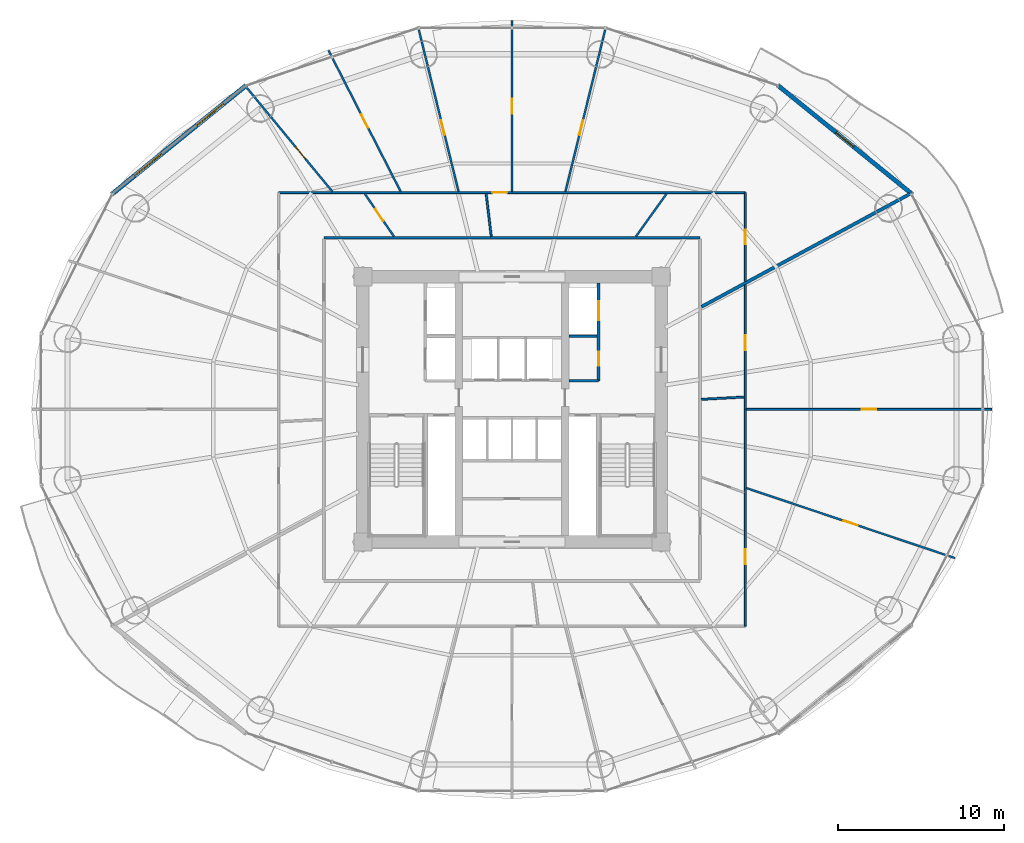
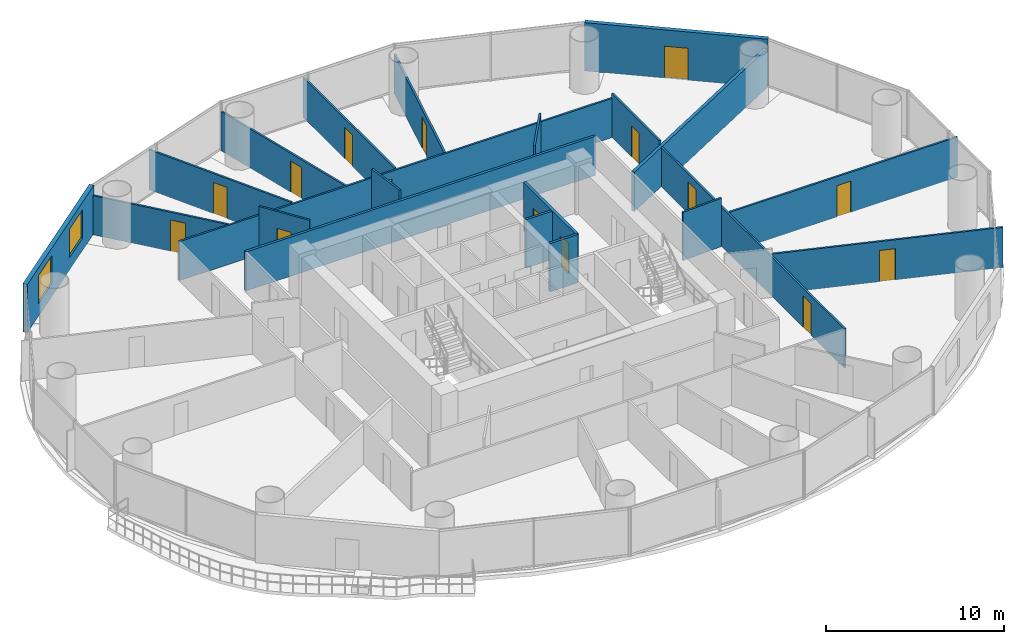
# One storey, part 25 of 30: 21 walls, 15 doors, 2 windows, 17 openings.
"""IFC4 building model written with IfcOpenShell, lengths in metres."""

from ifc_helpers import new_model, si_unit, direction, frame, frame_2d, origin, place, context, subcontext, project, spatial, rectangle, extrude, source, transform, mapped, material, layer, layer_set, type_object, element, fill, save


model = new_model("IFC4")

# Units and contexts
model_context = context("Model", 3, precision=1e-05, world=origin(), true_north=direction((-0.2419218956, 0.970295726276)))
body_context = subcontext(model_context, "Body", "Model", "MODEL_VIEW")
ifc_project = project(units=[si_unit("LENGTHUNIT", "METRE"), si_unit("AREAUNIT", "SQUARE_METRE"), si_unit("VOLUMEUNIT", "CUBIC_METRE"), si_unit("PLANEANGLEUNIT", "RADIAN"), si_unit("MASSUNIT", "GRAM", prefix="KILO")], contexts=[model_context])

# Site, building, storey
site_placement = place(None, origin())
site = spatial("IfcSite", under=ifc_project, at=site_placement, CompositionType="ELEMENT")
building_placement = place(site_placement, origin())
building = spatial("IfcBuilding", under=site, at=building_placement, Name="Cobrevalo Terracotta Tower", CompositionType="ELEMENT")
storey_placement = place(building_placement, frame((0.0, 0.0, 56.39990234375)))
storey = spatial("IfcBuildingStorey", under=building, at=storey_placement, Name="L14", CompositionType="ELEMENT", Elevation=56.39990234375)

# Walls
ifc_material_1 = material(Name="Gypsum board on steel stud", Category="steel")
ifc_layer_1 = layer(ifc_material_1, 0.159912109375)
ifc_layer_set_1 = layer_set([ifc_layer_1], Name="Gypsum board on steel stud")
wall_type_1 = type_object("IfcWallType", Name="Fire-rated corridor acoustic partition wall 160 mm", PredefinedType="PARTITIONING", material=ifc_layer_set_1)
wall_1_placement = place(storey_placement, frame((41.425048828125, 31.219970703125, 0.0), z_axis=(0.0, 0.0, 1.0), x_axis=(1.0, 0.0, 0.0)))
element("IfcWall", 1, at=wall_1_placement, inside=storey, type_object=wall_type_1, Name="L14 interior partition IW-L14-FF2-M", PredefinedType="PARTITIONING", context=body_context, shape_type="SweptSolid", body=[
    extrude(rectangle(XDim=1.71484375, YDim=0.159912109375, at=frame_2d((0.857421875, 0.0))), origin(), (0.0, 0.0, 1.0), 3.320068359375),
])
wall_2_placement = place(storey_placement, frame((41.425048828125, 28.52001953125, 0.0), z_axis=(0.0, 0.0, 1.0), x_axis=(1.0, 0.0, 0.0)))
element("IfcWall", 2, at=wall_2_placement, inside=storey, type_object=wall_type_1, Name="L14 interior partition IW-L14-FF2-S", PredefinedType="PARTITIONING", context=body_context, shape_type="SweptSolid", body=[
    extrude(rectangle(XDim=1.804931640625, YDim=0.159912109375, at=frame_2d((0.90234375, 0.0))), origin(), (0.0, 0.0, 1.0), 3.320068359375),
])
wall_3_placement = place(storey_placement, frame((26.64501953125, 37.155029296875, 0.0), z_axis=(0.0, 0.0, 1.0), x_axis=(1.0, 0.0, 0.0)))
element("IfcWall", 3, at=wall_3_placement, inside=storey, type_object=wall_type_1, Name="L14 interior partition IW-L14-COR-N", PredefinedType="PARTITIONING", context=body_context, shape_type="SweptSolid", body=[
    extrude(rectangle(XDim=22.7099609375, YDim=0.159912109375, at=frame_2d((11.35498046875, 0.0))), origin(), (0.0, 0.0, 1.0), 2.68798828125),
])

# Wall, openings, doors
ifc_layer_2 = layer(ifc_material_1, 0.179931640625)
ifc_layer_set_2 = layer_set([ifc_layer_2], Name="Gypsum board on steel stud")
wall_type_2 = type_object("IfcWallType", Name="Fire-rated shaft & lobby acoustic partition wall 180 mm", PredefinedType="PARTITIONING", material=ifc_layer_set_2)
wall_4_placement = place(storey_placement, frame((43.22998046875, 28.52001953125, 0.0), z_axis=(0.0, 0.0, 1.0), x_axis=(0.0, 1.0, 0.0)))
wall_4 = element("IfcWall", 4, at=wall_4_placement, inside=storey, type_object=wall_type_2, Name="L14 interior partition IW-L14-FF2-E", PredefinedType="PARTITIONING", context=body_context, shape_type="SweptSolid", body=[
    extrude(rectangle(XDim=5.905029296875, YDim=0.179931640625, at=frame_2d((2.95263671875, 0.0))), origin(), (0.0, 0.0, 1.0), 3.320068359375),
])
opening_1_placement = place(wall_4_placement, frame((0.905029296875, 0.0, 0.0)))
opening_1 = element("IfcOpeningElement", 5, at=opening_1_placement, cuts=wall_4, Name="Opening ID-22", PredefinedType="OPENING", context=body_context, shape_type="SweptSolid", body=[
    extrude(rectangle(XDim=0.85009765625, YDim=2.10009765625, at=frame_2d((0.425048828125, 1.050048828125))), frame((0.0, 0.10009765625, 0.0), z_axis=(0.0, -1.0, 0.0), x_axis=(1.0, 0.0, 0.0)), (0.0, 0.0, 1.0), 0.199951171875),
])
opening_2_placement = place(wall_4_placement, frame((3.655029296875, 0.0, 0.0)))
opening_2 = element("IfcOpeningElement", 6, at=opening_2_placement, cuts=wall_4, Name="Opening LD-02", PredefinedType="OPENING", context=body_context, shape_type="SweptSolid", body=[
    extrude(rectangle(XDim=1.14990234375, YDim=2.199951171875, at=frame_2d((0.574951171875, 1.10009765625))), frame((0.0, 0.10009765625, 0.0), z_axis=(0.0, -1.0, 0.0), x_axis=(1.0, 0.0, 0.0)), (0.0, 0.0, 1.0), 0.199951171875),
])
ifc_material_2 = material(Name="Powder-coated steel", Category="steel")
door_type_1 = type_object("IfcDoorType", Name="Riser shaft & meter closet fire access door 850x2100 EI 60", OperationType="NOTDEFINED", PredefinedType="DOOR", material=ifc_material_2)
shared_shape_1 = source(origin(), body_context, "Body", "SweptSolid", [
    extrude(rectangle(XDim=0.85009765625, YDim=2.10009765625, at=frame_2d((0.425048828125, 1.050048828125))), frame((0.0, 0.02490234375, 0.0), z_axis=(0.0, -1.0, 0.0), x_axis=(1.0, 0.0, 0.0)), (0.0, 0.0, 1.0), 0.050048828125),
])
door_1_placement = place(opening_1_placement, frame((0.85009765625, 0.0, 0.0), z_axis=(0.0, 0.0, 1.0), x_axis=(-1.0, 0.0, 0.0)))
door_1 = element("IfcDoor", 7, at=door_1_placement, inside=storey, type_object=door_type_1, Name="L14 housekeeping store door", OperationType="SINGLE_SWING_RIGHT", OverallHeight=2.10009765625, OverallWidth=0.85009765625, PredefinedType="DOOR", context=body_context, shape_type="MappedRepresentation", body=[
    mapped(shared_shape_1, transform((0.0, 0.0, 0.0), scale=1.0)),
])
fill(opening_1, door_1)
ifc_material_3 = material(Name="Brushed stainless steel", Category="steel")
door_type_2 = type_object("IfcDoorType", Name="Firefighting lift landing bi-parting sliding door 1150x2200 EI 120", OperationType="DOUBLE_DOOR_SLIDING", PredefinedType="DOOR", material=ifc_material_3)
shared_shape_2 = source(origin(), body_context, "Body", "SweptSolid", [
    extrude(rectangle(XDim=1.14990234375, YDim=2.199951171875, at=frame_2d((0.574951171875, 1.10009765625))), frame((0.0, 0.02490234375, 0.0), z_axis=(0.0, -1.0, 0.0), x_axis=(1.0, 0.0, 0.0)), (0.0, 0.0, 1.0), 0.050048828125),
])
door_2_placement = place(opening_2_placement, origin())
door_2 = element("IfcDoor", 8, at=door_2_placement, inside=storey, type_object=door_type_2, Name="L14 lift landing door FF-2", OperationType="DOUBLE_DOOR_SLIDING", OverallHeight=2.199951171875, OverallWidth=1.14990234375, PredefinedType="DOOR", context=body_context, shape_type="MappedRepresentation", body=[
    mapped(shared_shape_2, transform((0.0, 0.0, 0.0), scale=1.0)),
])
fill(opening_2, door_2)

# Wall
ifc_material_4 = material(Name="Autoclaved aerated concrete block", Category="concrete")
ifc_layer_3 = layer(ifc_material_4, 0.199951171875)
ifc_layer_set_3 = layer_set([ifc_layer_3], Name="Autoclaved aerated concrete block")
wall_type_3 = type_object("IfcWallType", Name="Fire-rated stair, shaft & demising masonry wall 200 mm", PredefinedType="PARTITIONING", material=ifc_layer_set_3)
wall_5_placement = place(storey_placement, frame((49.43505859375, 32.991455078125, 0.0), z_axis=(0.0, 0.0, 1.0), x_axis=(0.879369737803, 0.476139542819, 0.0)))
element("IfcWall", 9, at=wall_5_placement, inside=storey, type_object=wall_type_3, Name="L14 interior partition IW-L14-DEM-1", PredefinedType="PARTITIONING", context=body_context, shape_type="SweptSolid", body=[
    extrude(rectangle(XDim=14.294921875, YDim=0.199951171875, at=frame_2d((7.1474609375, 0.0))), origin(), (0.0, 0.0, 1.0), 2.68798828125),
])

# Wall, openings, windows
ifc_layer_4 = layer(ifc_material_4, 0.280029296875)
ifc_layer_set_4 = layer_set([ifc_layer_4], Name="Autoclaved aerated concrete block")
wall_type_4 = type_object("IfcWallType", Name="Insulated tower spandrel & pier wall 280 mm with terracotta rainscreen", PredefinedType="SOLIDWALL", material=ifc_layer_set_4)
wall_6_placement = place(storey_placement, frame((21.96728515625, 46.364990234375, 0.0), z_axis=(0.0, 0.0, 1.0), x_axis=(-0.777005352078, -0.62949398952, 0.0)))
wall_6 = element("IfcWall", 10, at=wall_6_placement, inside=storey, type_object=wall_type_4, Name="L14 terracotta rainscreen pier wall S06", PredefinedType="SOLIDWALL", context=body_context, shape_type="SweptSolid", body=[
    extrude(rectangle(XDim=10.44677734375, YDim=0.280029296875, at=frame_2d((5.223388671875, 0.0))), origin(), (0.0, 0.0, 1.0), 3.320068359375),
])
opening_3_placement = place(wall_6_placement, frame((1.7705078125, 0.0, 0.85009765625)))
opening_3 = element("IfcOpeningElement", 11, at=opening_3_placement, cuts=wall_6, Name="Opening WN-10", PredefinedType="OPENING", context=body_context, shape_type="SweptSolid", body=[
    extrude(rectangle(XDim=2.10009765625, YDim=1.949951171875, at=frame_2d((1.050048828125, 0.97509765625))), frame((0.0, 0.14990234375, 0.0), z_axis=(0.0, -1.0, 0.0), x_axis=(1.0, 0.0, 0.0)), (0.0, 0.0, 1.0), 0.300048828125),
])
opening_4_placement = place(wall_6_placement, frame((6.576171875, 0.0, 0.85009765625)))
opening_4 = element("IfcOpeningElement", 12, at=opening_4_placement, cuts=wall_6, Name="Opening WN-10", PredefinedType="OPENING", context=body_context, shape_type="SweptSolid", body=[
    extrude(rectangle(XDim=2.10009765625, YDim=1.949951171875, at=frame_2d((1.050048828125, 0.97509765625))), frame((0.0, 0.14990234375, 0.0), z_axis=(0.0, -1.0, 0.0), x_axis=(1.0, 0.0, 0.0)), (0.0, 0.0, 1.0), 0.300048828125),
])
ifc_material_5 = material(Name="Solar-control low-E double glazing", Category="glass")
window_type = type_object("IfcWindowType", Name="Wide panoramic low-E aluminium window 2100x1950", PartitioningType="SINGLE_PANEL", PredefinedType="WINDOW", material=ifc_material_5)
shared_shape_3 = source(origin(), body_context, "Body", "SweptSolid", [
    extrude(rectangle(XDim=2.10009765625, YDim=1.949951171875, at=frame_2d((1.050048828125, 0.97509765625))), frame((0.0, 0.030029296875, 0.0), z_axis=(0.0, -1.0, 0.0), x_axis=(1.0, 0.0, 0.0)), (0.0, 0.0, 1.0), 0.06005859375),
])
window_1_placement = place(opening_3_placement, origin())
window_1 = element("IfcWindow", 13, at=window_1_placement, inside=storey, type_object=window_type, Name="L14 suite window S06A", OverallHeight=1.949951171875, OverallWidth=2.10009765625, PartitioningType="SINGLE_PANEL", PredefinedType="WINDOW", context=body_context, shape_type="MappedRepresentation", body=[
    mapped(shared_shape_3, transform((0.0, 0.0, 0.0), scale=1.0)),
])
fill(opening_3, window_1)
window_2_placement = place(opening_4_placement, origin())
window_2 = element("IfcWindow", 14, at=window_2_placement, inside=storey, type_object=window_type, Name="L14 suite window S06B", OverallHeight=1.949951171875, OverallWidth=2.10009765625, PartitioningType="SINGLE_PANEL", PredefinedType="WINDOW", context=body_context, shape_type="MappedRepresentation", body=[
    mapped(shared_shape_3, transform((0.0, 0.0, 0.0), scale=1.0)),
])
fill(opening_4, window_2)

# Wall, opening, door
ifc_layer_5 = layer(ifc_material_4, 0.260009765625)
ifc_layer_set_5 = layer_set([ifc_layer_5], Name="Autoclaved aerated concrete block")
wall_type_5 = type_object("IfcWallType", Name="Recessed balcony loggia insulated exterior wall 260 mm", PredefinedType="SOLIDWALL", material=ifc_layer_set_5)
wall_7_placement = place(storey_placement, frame((62.14990234375, 39.788818359375, 0.0), z_axis=(0.0, 0.0, 1.0), x_axis=(-0.777005352078, 0.62949398952, 0.0)))
wall_7 = element("IfcWall", 15, at=wall_7_placement, inside=storey, type_object=wall_type_5, Name="L14 balcony loggia wall S02", PredefinedType="SOLIDWALL", context=body_context, shape_type="SweptSolid", body=[
    extrude(rectangle(XDim=10.44677734375, YDim=0.260009765625, at=frame_2d((5.223388671875, 0.0))), origin(), (0.0, 0.0, 1.0), 3.320068359375),
])
opening_5_placement = place(wall_7_placement, frame((4.54833984375, 0.0, 0.0)))
opening_5 = element("IfcOpeningElement", 16, at=opening_5_placement, cuts=wall_7, Name="Opening ED-05", PredefinedType="OPENING", context=body_context, shape_type="SweptSolid", body=[
    extrude(rectangle(XDim=1.35009765625, YDim=2.199951171875, at=frame_2d((0.675048828125, 1.10009765625))), frame((0.0, 0.14013671875, 0.0), z_axis=(0.0, -1.0, 0.0), x_axis=(1.0, 0.0, 0.0)), (0.0, 0.0, 1.0), 0.280029296875),
])
ifc_material_6 = material(Name="Anodized aluminium and laminated glass", Category="aluminium")
door_type_3 = type_object("IfcDoorType", Name="Suite balcony acoustic glazed terrace door 1350x2200", OperationType="NOTDEFINED", PredefinedType="DOOR", material=ifc_material_6)
shared_shape_4 = source(origin(), body_context, "Body", "SweptSolid", [
    extrude(rectangle(XDim=1.35009765625, YDim=2.199951171875, at=frame_2d((0.675048828125, 1.10009765625))), frame((0.0, 0.02490234375, 0.0), z_axis=(0.0, -1.0, 0.0), x_axis=(1.0, 0.0, 0.0)), (0.0, 0.0, 1.0), 0.050048828125),
])
door_3_placement = place(opening_5_placement, frame((1.35009765625, 0.0, 0.0), z_axis=(0.0, 0.0, 1.0), x_axis=(-1.0, 0.0, 0.0)))
door_3 = element("IfcDoor", 17, at=door_3_placement, inside=storey, type_object=door_type_3, Name="L14 glazed balcony terrace door 1", OperationType="SINGLE_SWING_LEFT", OverallHeight=2.199951171875, OverallWidth=1.35009765625, PredefinedType="DOOR", context=body_context, shape_type="MappedRepresentation", body=[
    mapped(shared_shape_4, transform((0.0, 0.0, 0.0), scale=1.0)),
])
fill(opening_5, door_3)

ifc_layer_6 = layer(ifc_material_1, 0.1201171875)
ifc_layer_set_6 = layer_set([ifc_layer_6], Name="Gypsum board on steel stud")
wall_type_6 = type_object("IfcWallType", Name="Residential internal acoustic stud partition 120 mm", PredefinedType="PARTITIONING", material=ifc_layer_set_6)
wall_8_placement = place(storey_placement, frame((23.9150390625, 39.885009765625, 0.0), z_axis=(0.0, 0.0, 1.0), x_axis=(1.0, 0.0, 0.0)))
wall_8 = element("IfcWall", 18, at=wall_8_placement, inside=storey, type_object=wall_type_6, Name="L14 interior partition IW-L14-U1-RING1_0", PredefinedType="PARTITIONING", context=body_context, shape_type="SweptSolid", body=[
    extrude(rectangle(XDim=28.169921875, YDim=0.1201171875, at=frame_2d((14.0849609375, 0.0))), origin(), (0.0, 0.0, 1.0), 2.68798828125),
])
opening_6_placement = place(wall_8_placement, frame((12.890625, 0.0, 0.0)))
opening_6 = element("IfcOpeningElement", 19, at=opening_6_placement, cuts=wall_8, Name="Opening ID-12", PredefinedType="OPENING", context=body_context, shape_type="SweptSolid", body=[
    extrude(rectangle(XDim=0.89990234375, YDim=2.14990234375, at=frame_2d((0.449951171875, 1.074951171875))), frame((0.0, 0.070068359375, 0.0), z_axis=(0.0, -1.0, 0.0), x_axis=(1.0, 0.0, 0.0)), (0.0, 0.0, 1.0), 0.14013671875),
])
ifc_material_7 = material(Name="Engineered timber", Category="wood")
door_type_4 = type_object("IfcDoorType", Name="Internal residence & suite timber door 900x2150", OperationType="NOTDEFINED", PredefinedType="DOOR", material=ifc_material_7)
shared_shape_5 = source(origin(), body_context, "Body", "SweptSolid", [
    extrude(rectangle(XDim=0.89990234375, YDim=2.14990234375, at=frame_2d((0.449951171875, 1.074951171875))), frame((0.0, 0.02490234375, 0.0), z_axis=(0.0, -1.0, 0.0), x_axis=(1.0, 0.0, 0.0)), (0.0, 0.0, 1.0), 0.050048828125),
])
door_4_placement = place(opening_6_placement, frame((0.89990234375, 0.0, 0.0), z_axis=(0.0, 0.0, 1.0), x_axis=(-1.0, 0.0, 0.0)))
door_4 = element("IfcDoor", 20, at=door_4_placement, inside=storey, type_object=door_type_4, Name="Flat L14A Home Office Study internal door", OperationType="SINGLE_SWING_LEFT", OverallHeight=2.14990234375, OverallWidth=0.89990234375, PredefinedType="DOOR", context=body_context, shape_type="MappedRepresentation", body=[
    mapped(shared_shape_5, transform((0.0, 0.0, 0.0), scale=1.0)),
])
fill(opening_6, door_4)

wall_9_placement = place(storey_placement, frame((52.0849609375, 39.885009765625, 0.0), z_axis=(0.0, 0.0, 1.0), x_axis=(0.0, -1.0, 0.0)))
wall_9 = element("IfcWall", 21, at=wall_9_placement, inside=storey, type_object=wall_type_6, Name="L14 interior partition IW-L14-U1-RING2_0", PredefinedType="PARTITIONING", context=body_context, shape_type="SweptSolid", body=[
    extrude(rectangle(XDim=5.356689453125, YDim=0.1201171875, at=frame_2d((2.67822265625, 0.0))), origin(), (0.0, 0.0, 1.0), 2.9990234375),
])
opening_7_placement = place(wall_9_placement, frame((2.248291015625, 0.0, 0.0)))
opening_7 = element("IfcOpeningElement", 22, at=opening_7_placement, cuts=wall_9, Name="Opening ID-19", PredefinedType="OPENING", context=body_context, shape_type="SweptSolid", body=[
    extrude(rectangle(XDim=0.860107421875, YDim=2.14990234375, at=frame_2d((0.43017578125, 1.074951171875))), frame((0.0, 0.070068359375, 0.0), z_axis=(0.0, -1.0, 0.0), x_axis=(1.0, 0.0, 0.0)), (0.0, 0.0, 1.0), 0.14013671875),
])
ifc_material_8 = material(Name="Moisture-sealed timber", Category="wood")
door_type_5 = type_object("IfcDoorType", Name="Suite bathroom internal timber door 860x2150", OperationType="NOTDEFINED", PredefinedType="DOOR", material=ifc_material_8)
shared_shape_6 = source(origin(), body_context, "Body", "SweptSolid", [
    extrude(rectangle(XDim=0.860107421875, YDim=2.14990234375, at=frame_2d((0.43017578125, 1.074951171875))), frame((0.0, 0.02490234375, 0.0), z_axis=(0.0, -1.0, 0.0), x_axis=(1.0, 0.0, 0.0)), (0.0, 0.0, 1.0), 0.050048828125),
])
door_5_placement = place(opening_7_placement, frame((0.860107421875, 0.0, 0.0), z_axis=(0.0, 0.0, 1.0), x_axis=(-1.0, 0.0, 0.0)))
door_5 = element("IfcDoor", 23, at=door_5_placement, inside=storey, type_object=door_type_5, Name="Flat L14A Guest Bathroom internal door", OperationType="SINGLE_SWING_RIGHT", OverallHeight=2.14990234375, OverallWidth=0.860107421875, PredefinedType="DOOR", context=body_context, shape_type="MappedRepresentation", body=[
    mapped(shared_shape_6, transform((0.0, 0.0, 0.0), scale=1.0)),
])
fill(opening_7, door_5)

wall_10_placement = place(storey_placement, frame((41.226806640625, 39.9453125, 0.0), z_axis=(0.0, 0.0, 1.0), x_axis=(0.238375747469, 0.97117300365, 0.0)))
wall_10 = element("IfcWall", 24, at=wall_10_placement, inside=storey, type_object=wall_type_6, Name="L14 interior partition IW-L14-U1-ORAD1", PredefinedType="PARTITIONING", context=body_context, shape_type="SweptSolid", body=[
    extrude(rectangle(XDim=10.086181640625, YDim=0.1201171875, at=frame_2d((5.04296875, 0.0))), origin(), (0.0, 0.0, 1.0), 2.68798828125),
])
opening_8_placement = place(wall_10_placement, frame((3.51806640625, 0.0, 0.0)))
opening_8 = element("IfcOpeningElement", 25, at=opening_8_placement, cuts=wall_10, Name="Opening ID-12", PredefinedType="OPENING", context=body_context, shape_type="SweptSolid", body=[
    extrude(rectangle(XDim=0.89990234375, YDim=2.14990234375, at=frame_2d((0.449951171875, 1.074951171875))), frame((0.0, 0.070068359375, 0.0), z_axis=(0.0, -1.0, 0.0), x_axis=(1.0, 0.0, 0.0)), (0.0, 0.0, 1.0), 0.14013671875),
])
door_6_placement = place(opening_8_placement, frame((0.89990234375, 0.0, 0.0), z_axis=(0.0, 0.0, 1.0), x_axis=(-1.0, 0.0, 0.0)))
door_6 = element("IfcDoor", 26, at=door_6_placement, inside=storey, type_object=door_type_4, Name="Flat L14A Penthouse Living and Dining Room internal door", OperationType="SINGLE_SWING_LEFT", OverallHeight=2.14990234375, OverallWidth=0.89990234375, PredefinedType="DOOR", context=body_context, shape_type="MappedRepresentation", body=[
    mapped(shared_shape_5, transform((0.0, 0.0, 0.0), scale=1.0)),
])
fill(opening_8, door_6)

wall_11_placement = place(storey_placement, frame((38.0, 39.947021484375, 0.0), z_axis=(0.0, 0.0, 1.0), x_axis=(0.0, 1.0, 0.0)))
wall_11 = element("IfcWall", 27, at=wall_11_placement, inside=storey, type_object=wall_type_6, Name="L14 interior partition IW-L14-U1-ORAD2M1", PredefinedType="PARTITIONING", context=body_context, shape_type="SweptSolid", body=[
    extrude(rectangle(XDim=10.29296875, YDim=0.1201171875, at=frame_2d((5.146484375, 0.0))), origin(), (0.0, 0.0, 1.0), 2.76220703125),
])
opening_9_placement = place(wall_11_placement, frame((4.696533203125, 0.0, 0.0)))
opening_9 = element("IfcOpeningElement", 28, at=opening_9_placement, cuts=wall_11, Name="Opening ID-12", PredefinedType="OPENING", context=body_context, shape_type="SweptSolid", body=[
    extrude(rectangle(XDim=0.89990234375, YDim=2.14990234375, at=frame_2d((0.449951171875, 1.074951171875))), frame((0.0, 0.070068359375, 0.0), z_axis=(0.0, -1.0, 0.0), x_axis=(1.0, 0.0, 0.0)), (0.0, 0.0, 1.0), 0.14013671875),
])
door_7_placement = place(opening_9_placement, frame((0.89990234375, 0.0, 0.0), z_axis=(0.0, 0.0, 1.0), x_axis=(-1.0, 0.0, 0.0)))
door_7 = element("IfcDoor", 29, at=door_7_placement, inside=storey, type_object=door_type_4, Name="Flat L14A Master Bedroom internal door", OperationType="SINGLE_SWING_RIGHT", OverallHeight=2.14990234375, OverallWidth=0.89990234375, PredefinedType="DOOR", context=body_context, shape_type="MappedRepresentation", body=[
    mapped(shared_shape_5, transform((0.0, 0.0, 0.0), scale=1.0)),
])
fill(opening_9, door_7)

wall_12_placement = place(storey_placement, frame((34.773193359375, 39.9453125, 0.0), z_axis=(0.0, 0.0, 1.0), x_axis=(-0.238375747469, 0.97117300365, 0.0)))
wall_12 = element("IfcWall", 30, at=wall_12_placement, inside=storey, type_object=wall_type_6, Name="L14 interior partition IW-L14-U1-ORAD2", PredefinedType="PARTITIONING", context=body_context, shape_type="SweptSolid", body=[
    extrude(rectangle(XDim=10.086181640625, YDim=0.1201171875, at=frame_2d((5.04296875, 0.0))), origin(), (0.0, 0.0, 1.0), 2.68798828125),
])
opening_10_placement = place(wall_12_placement, frame((3.5185546875, 0.0, 0.0)))
opening_10 = element("IfcOpeningElement", 31, at=opening_10_placement, cuts=wall_12, Name="Opening ID-12", PredefinedType="OPENING", context=body_context, shape_type="SweptSolid", body=[
    extrude(rectangle(XDim=0.89990234375, YDim=2.14990234375, at=frame_2d((0.449951171875, 1.074951171875))), frame((0.0, 0.070068359375, 0.0), z_axis=(0.0, -1.0, 0.0), x_axis=(1.0, 0.0, 0.0)), (0.0, 0.0, 1.0), 0.14013671875),
])
door_8_placement = place(opening_10_placement, frame((0.89990234375, 0.0, 0.0), z_axis=(0.0, 0.0, 1.0), x_axis=(-1.0, 0.0, 0.0)))
door_8 = element("IfcDoor", 32, at=door_8_placement, inside=storey, type_object=door_type_4, Name="Flat L14A Principal Guest Bedroom internal door", OperationType="SINGLE_SWING_RIGHT", OverallHeight=2.14990234375, OverallWidth=0.89990234375, PredefinedType="DOOR", context=body_context, shape_type="MappedRepresentation", body=[
    mapped(shared_shape_5, transform((0.0, 0.0, 0.0), scale=1.0)),
])
fill(opening_10, door_8)

wall_13_placement = place(storey_placement, frame((31.283203125, 39.940185546875, 0.0), z_axis=(0.0, 0.0, 1.0), x_axis=(-0.455131303234, 0.890424335256, 0.0)))
wall_13 = element("IfcWall", 33, at=wall_13_placement, inside=storey, type_object=wall_type_6, Name="L14 interior partition IW-L14-U1-ORAD3M1", PredefinedType="PARTITIONING", context=body_context, shape_type="SweptSolid", body=[
    extrude(rectangle(XDim=9.562255859375, YDim=0.1201171875, at=frame_2d((4.78125, 0.0))), origin(), (0.0, 0.0, 1.0), 2.76220703125),
])
opening_11_placement = place(wall_13_placement, frame((4.3310546875, 0.0, 0.0)))
opening_11 = element("IfcOpeningElement", 34, at=opening_11_placement, cuts=wall_13, Name="Opening ID-12", PredefinedType="OPENING", context=body_context, shape_type="SweptSolid", body=[
    extrude(rectangle(XDim=0.89990234375, YDim=2.14990234375, at=frame_2d((0.449951171875, 1.074951171875))), frame((0.0, 0.070068359375, 0.0), z_axis=(0.0, -1.0, 0.0), x_axis=(1.0, 0.0, 0.0)), (0.0, 0.0, 1.0), 0.14013671875),
])
door_9_placement = place(opening_11_placement, frame((0.89990234375, 0.0, 0.0), z_axis=(0.0, 0.0, 1.0), x_axis=(-1.0, 0.0, 0.0)))
door_9 = element("IfcDoor", 35, at=door_9_placement, inside=storey, type_object=door_type_4, Name="Flat L14A Principal Guest Bedroom internal door", OperationType="SINGLE_SWING_LEFT", OverallHeight=2.14990234375, OverallWidth=0.89990234375, PredefinedType="DOOR", context=body_context, shape_type="MappedRepresentation", body=[
    mapped(shared_shape_5, transform((0.0, 0.0, 0.0), scale=1.0)),
])
fill(opening_11, door_9)

wall_14_placement = place(storey_placement, frame((27.171142578125, 39.932861328125, 0.0), z_axis=(0.0, 0.0, 1.0), x_axis=(-0.636192172227, 0.771530634516, 0.0)))
wall_14 = element("IfcWall", 36, at=wall_14_placement, inside=storey, type_object=wall_type_6, Name="L14 interior partition IW-L14-U1-ORAD3", PredefinedType="PARTITIONING", context=body_context, shape_type="SweptSolid", body=[
    extrude(rectangle(XDim=8.186279296875, YDim=0.1201171875, at=frame_2d((4.09326171875, 0.0))), origin(), (0.0, 0.0, 1.0), 2.68798828125),
])
opening_12_placement = place(wall_14_placement, frame((2.584228515625, 0.0, 0.0)))
opening_12 = element("IfcOpeningElement", 37, at=opening_12_placement, cuts=wall_14, Name="Opening ID-12", PredefinedType="OPENING", context=body_context, shape_type="SweptSolid", body=[
    extrude(rectangle(XDim=0.89990234375, YDim=2.14990234375, at=frame_2d((0.449951171875, 1.074951171875))), frame((0.0, 0.070068359375, 0.0), z_axis=(0.0, -1.0, 0.0), x_axis=(1.0, 0.0, 0.0)), (0.0, 0.0, 1.0), 0.14013671875),
])
door_10_placement = place(opening_12_placement, frame((0.89990234375, 0.0, 0.0), z_axis=(0.0, 0.0, 1.0), x_axis=(-1.0, 0.0, 0.0)))
door_10 = element("IfcDoor", 38, at=door_10_placement, inside=storey, type_object=door_type_4, Name="Flat L14A Principal Guest Bedroom internal door", OperationType="SINGLE_SWING_RIGHT", OverallHeight=2.14990234375, OverallWidth=0.89990234375, PredefinedType="DOOR", context=body_context, shape_type="MappedRepresentation", body=[
    mapped(shared_shape_5, transform((0.0, 0.0, 0.0), scale=1.0)),
])
fill(opening_12, door_10)

# Walls
wall_15_placement = place(storey_placement, frame((45.48095703125, 37.236572265625, 0.0), z_axis=(0.0, 0.0, 1.0), x_axis=(0.582530715463, 0.812808689387, 0.0)))
element("IfcWall", 39, at=wall_15_placement, inside=storey, type_object=wall_type_6, Name="L14 interior partition IW-L14-U1-IRAD1", PredefinedType="PARTITIONING", context=body_context, shape_type="SweptSolid", body=[
    extrude(rectangle(XDim=3.196533203125, YDim=0.1201171875, at=frame_2d((1.59814453125, 0.0))), origin(), (0.0, 0.0, 1.0), 3.320068359375),
])
wall_16_placement = place(storey_placement, frame((36.74853515625, 37.237060546875, 0.0), z_axis=(0.0, 0.0, 1.0), x_axis=(-0.119119351225, 0.992879942472, 0.0)))
element("IfcWall", 40, at=wall_16_placement, inside=storey, type_object=wall_type_6, Name="L14 interior partition IW-L14-U1-IRAD2", PredefinedType="PARTITIONING", context=body_context, shape_type="SweptSolid", body=[
    extrude(rectangle(XDim=2.60498046875, YDim=0.1201171875, at=frame_2d((1.302490234375, 0.0))), origin(), (0.0, 0.0, 1.0), 3.320068359375),
])

# Wall, opening, door
wall_17_placement = place(storey_placement, frame((30.87548828125, 37.236572265625, 0.0), z_axis=(0.0, 0.0, 1.0), x_axis=(-0.563751131022, 0.825944708967, 0.0)))
wall_17 = element("IfcWall", 41, at=wall_17_placement, inside=storey, type_object=wall_type_6, Name="L14 interior partition IW-L14-U1-IRAD3", PredefinedType="PARTITIONING", context=body_context, shape_type="SweptSolid", body=[
    extrude(rectangle(XDim=3.14453125, YDim=0.1201171875, at=frame_2d((1.572265625, 0.0))), origin(), (0.0, 0.0, 1.0), 3.320068359375),
])
opening_13_placement = place(wall_17_placement, frame((1.142333984375, 0.0, 0.0)))
opening_13 = element("IfcOpeningElement", 42, at=opening_13_placement, cuts=wall_17, Name="Opening ID-19", PredefinedType="OPENING", context=body_context, shape_type="SweptSolid", body=[
    extrude(rectangle(XDim=0.860107421875, YDim=2.14990234375, at=frame_2d((0.43017578125, 1.074951171875))), frame((0.0, 0.070068359375, 0.0), z_axis=(0.0, -1.0, 0.0), x_axis=(1.0, 0.0, 0.0)), (0.0, 0.0, 1.0), 0.14013671875),
])
door_11_placement = place(opening_13_placement, frame((0.860107421875, 0.0, 0.0), z_axis=(0.0, 0.0, 1.0), x_axis=(-1.0, 0.0, 0.0)))
door_11 = element("IfcDoor", 43, at=door_11_placement, inside=storey, type_object=door_type_5, Name="Flat L14A Primary Bathroom internal door", OperationType="SINGLE_SWING_RIGHT", OverallHeight=2.14990234375, OverallWidth=0.860107421875, PredefinedType="DOOR", context=body_context, shape_type="MappedRepresentation", body=[
    mapped(shared_shape_6, transform((0.0, 0.0, 0.0), scale=1.0)),
])
fill(opening_13, door_11)

# Wall, openings, doors
wall_18_placement = place(storey_placement, frame((52.0849609375, 34.324462890625, 0.0), z_axis=(0.0, 0.0, 1.0), x_axis=(0.0, -1.0, 0.0)))
wall_18 = element("IfcWall", 44, at=wall_18_placement, inside=storey, type_object=wall_type_6, Name="L14 interior partition IW-L14-U2-RING0_0", PredefinedType="PARTITIONING", context=body_context, shape_type="SweptSolid", body=[
    extrude(rectangle(XDim=20.609375, YDim=0.1201171875, at=frame_2d((10.3046875, 0.0))), origin(), (0.0, 0.0, 1.0), 2.68798828125),
])
opening_14_placement = place(wall_18_placement, frame((15.972412109375, 0.0, 0.0)))
opening_14 = element("IfcOpeningElement", 45, at=opening_14_placement, cuts=wall_18, Name="Opening ID-12", PredefinedType="OPENING", context=body_context, shape_type="SweptSolid", body=[
    extrude(rectangle(XDim=0.89990234375, YDim=2.14990234375, at=frame_2d((0.449951171875, 1.074951171875))), frame((0.0, 0.070068359375, 0.0), z_axis=(0.0, -1.0, 0.0), x_axis=(1.0, 0.0, 0.0)), (0.0, 0.0, 1.0), 0.14013671875),
])
opening_15_placement = place(wall_18_placement, frame((3.058349609375, 0.0, 0.0)))
opening_15 = element("IfcOpeningElement", 46, at=opening_15_placement, cuts=wall_18, Name="Opening ID-12", PredefinedType="OPENING", context=body_context, shape_type="SweptSolid", body=[
    extrude(rectangle(XDim=0.89990234375, YDim=2.14990234375, at=frame_2d((0.449951171875, 1.074951171875))), frame((0.0, 0.070068359375, 0.0), z_axis=(0.0, -1.0, 0.0), x_axis=(1.0, 0.0, 0.0)), (0.0, 0.0, 1.0), 0.14013671875),
])
door_12_placement = place(opening_14_placement, origin())
door_12 = element("IfcDoor", 47, at=door_12_placement, inside=storey, type_object=door_type_4, Name="Flat L14B Penthouse Family Lounge internal door", OperationType="SINGLE_SWING_RIGHT", OverallHeight=2.14990234375, OverallWidth=0.89990234375, PredefinedType="DOOR", context=body_context, shape_type="MappedRepresentation", body=[
    mapped(shared_shape_5, transform((0.0, 0.0, 0.0), scale=1.0)),
])
fill(opening_14, door_12)
door_13_placement = place(opening_15_placement, frame((0.89990234375, 0.0, 0.0), z_axis=(0.0, 0.0, 1.0), x_axis=(-1.0, 0.0, 0.0)))
door_13 = element("IfcDoor", 48, at=door_13_placement, inside=storey, type_object=door_type_4, Name="Flat L14B Utility Closet internal door", OperationType="SINGLE_SWING_LEFT", OverallHeight=2.14990234375, OverallWidth=0.89990234375, PredefinedType="DOOR", context=body_context, shape_type="MappedRepresentation", body=[
    mapped(shared_shape_5, transform((0.0, 0.0, 0.0), scale=1.0)),
])
fill(opening_15, door_13)

# Wall, opening, door
wall_19_placement = place(storey_placement, frame((52.143798828125, 22.052490234375, 0.0), z_axis=(0.0, 0.0, 1.0), x_axis=(0.948023034133, -0.318201707653, 0.0)))
wall_19 = element("IfcWall", 49, at=wall_19_placement, inside=storey, type_object=wall_type_6, Name="L14 interior partition IW-L14-U2-ORAD4", PredefinedType="PARTITIONING", context=body_context, shape_type="SweptSolid", body=[
    extrude(rectangle(XDim=13.27880859375, YDim=0.1201171875, at=frame_2d((6.639404296875, 0.0))), origin(), (0.0, 0.0, 1.0), 2.76220703125),
])
opening_16_placement = place(wall_19_placement, frame((6.189453125, 0.0, 0.0)))
opening_16 = element("IfcOpeningElement", 50, at=opening_16_placement, cuts=wall_19, Name="Opening ID-12", PredefinedType="OPENING", context=body_context, shape_type="SweptSolid", body=[
    extrude(rectangle(XDim=0.89990234375, YDim=2.14990234375, at=frame_2d((0.449951171875, 1.074951171875))), frame((0.0, 0.070068359375, 0.0), z_axis=(0.0, -1.0, 0.0), x_axis=(1.0, 0.0, 0.0)), (0.0, 0.0, 1.0), 0.14013671875),
])
door_14_placement = place(opening_16_placement, origin())
door_14 = element("IfcDoor", 51, at=door_14_placement, inside=storey, type_object=door_type_4, Name="Flat L14B Penthouse Family Lounge internal door", OperationType="SINGLE_SWING_LEFT", OverallHeight=2.14990234375, OverallWidth=0.89990234375, PredefinedType="DOOR", context=body_context, shape_type="MappedRepresentation", body=[
    mapped(shared_shape_5, transform((0.0, 0.0, 0.0), scale=1.0)),
])
fill(opening_16, door_14)

wall_20_placement = place(storey_placement, frame((52.14697265625, 26.800048828125, 0.0), z_axis=(0.0, 0.0, 1.0), x_axis=(1.0, 0.0, 0.0)))
wall_20 = element("IfcWall", 52, at=wall_20_placement, inside=storey, type_object=wall_type_6, Name="L14 interior partition IW-L14-U2-ORAD5", PredefinedType="PARTITIONING", context=body_context, shape_type="SweptSolid", body=[
    extrude(rectangle(XDim=14.79296875, YDim=0.1201171875, at=frame_2d((7.396484375, 0.0))), origin(), (0.0, 0.0, 1.0), 2.76220703125),
])
opening_17_placement = place(wall_20_placement, frame((6.946533203125, 0.0, 0.0)))
opening_17 = element("IfcOpeningElement", 53, at=opening_17_placement, cuts=wall_20, Name="Opening ID-12", PredefinedType="OPENING", context=body_context, shape_type="SweptSolid", body=[
    extrude(rectangle(XDim=0.89990234375, YDim=2.14990234375, at=frame_2d((0.449951171875, 1.074951171875))), frame((0.0, 0.070068359375, 0.0), z_axis=(0.0, -1.0, 0.0), x_axis=(1.0, 0.0, 0.0)), (0.0, 0.0, 1.0), 0.14013671875),
])
door_15_placement = place(opening_17_placement, origin())
door_15 = element("IfcDoor", 54, at=door_15_placement, inside=storey, type_object=door_type_4, Name="Flat L14B Private Cinema Room internal door", OperationType="SINGLE_SWING_RIGHT", OverallHeight=2.14990234375, OverallWidth=0.89990234375, PredefinedType="DOOR", context=body_context, shape_type="MappedRepresentation", body=[
    mapped(shared_shape_5, transform((0.0, 0.0, 0.0), scale=1.0)),
])
fill(opening_17, door_15)

# Wall
wall_21_placement = place(storey_placement, frame((49.43505859375, 27.4072265625, 0.0), z_axis=(0.0, 0.0, 1.0), x_axis=(0.998587742853, 0.053127392413, 0.0)))
element("IfcWall", 55, at=wall_21_placement, inside=storey, type_object=wall_type_6, Name="L14 interior partition IW-L14-U2-IRAD5", PredefinedType="PARTITIONING", context=body_context, shape_type="SweptSolid", body=[
    extrude(rectangle(XDim=2.591796875, YDim=0.1201171875, at=frame_2d((1.2958984375, 0.0))), origin(), (0.0, 0.0, 1.0), 3.320068359375),
])

save(model, "model.ifc")
